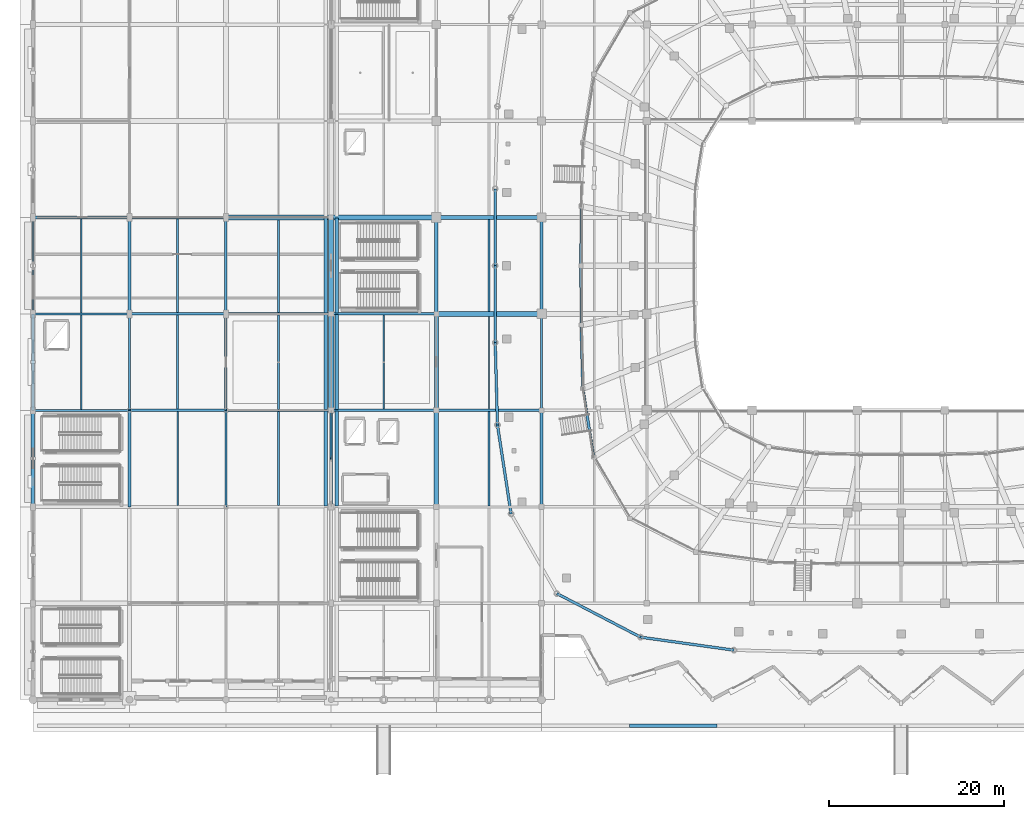
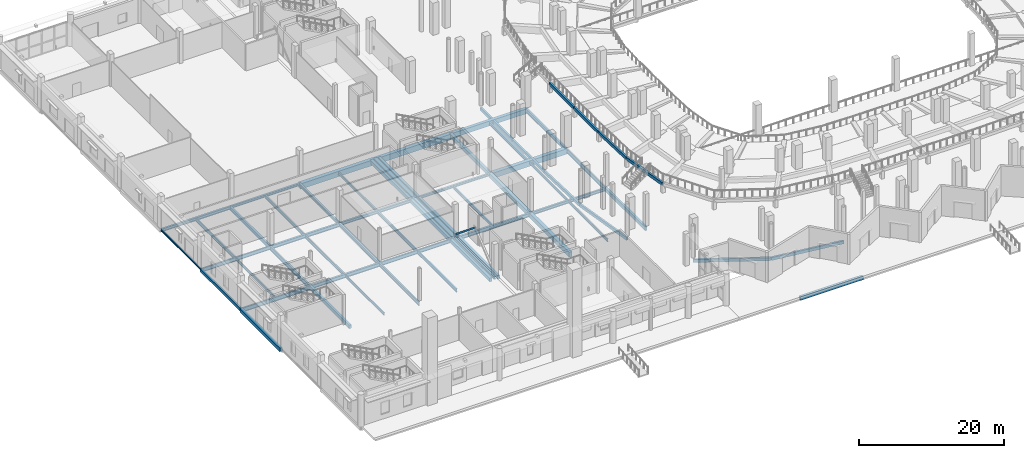
# One storey, part 18 of 120: 62 beams, 1 member.
"""IFC4 building model written with IfcOpenShell, lengths in metres."""

from ifc_helpers import new_model, si_unit, direction, frame, origin, origin_2d, place, context, subcontext, project, spatial, rectangle, hollow_rectangle, i_section, extrude, material, material_profile, profile_set, type_object, element, save


model = new_model("IFC4")

# Units and contexts
model_context = context("Model", 3, precision=1e-05, world=origin(), true_north=direction((0.0, 1.0)))
body_context = subcontext(model_context, "Body", "Model", "MODEL_VIEW")
ifc_project = project(units=[si_unit("LENGTHUNIT", "METRE"), si_unit("AREAUNIT", "SQUARE_METRE"), si_unit("VOLUMEUNIT", "CUBIC_METRE"), si_unit("PLANEANGLEUNIT", "RADIAN"), si_unit("MASSUNIT", "GRAM", prefix="KILO")], contexts=[model_context])

# Site, building, storey
site_placement = place(None, origin())
site = spatial("IfcSite", under=ifc_project, at=site_placement, CompositionType="ELEMENT")
building_placement = place(site_placement, origin())
building = spatial("IfcBuilding", under=site, at=building_placement, Name="Luwafu Chhajja Arena", CompositionType="ELEMENT")
storey_placement = place(building_placement, origin())
storey = spatial("IfcBuildingStorey", under=building, at=storey_placement, Name="L00", CompositionType="ELEMENT", Elevation=0.0)

# Beams
ifc_material_1 = material(Name="Concrete C35/45", Category="concrete")
ifc_material_profile_1 = material_profile(ifc_material_1, rectangle(XDim=0.35009765625, YDim=0.60009765625, at=origin_2d()), Name="RC 350x600")
ifc_profile_set_1 = profile_set([ifc_material_profile_1], Name="Concrete C35/45")
beam_type_1 = type_object("IfcBeamType", Name="Arcade Tie Beam RC 350x600", PredefinedType="BEAM", material=ifc_profile_set_1)
for number, where, z_axis, x_axis, name in (
    (1, (11.0, 22.0, -0.64990234375), (0.0, 1.0, 0.0), (-1.0, 0.0, 0.0), "L00 Grid Beam 2/C-D"),
    (2, (58.0, 22.0, -0.64990234375), (0.0, 1.0, 0.0), (-1.0, 0.0, 0.0), "L00 Grid Beam 6/C-D"),
):
    element("IfcBeam", number, at=place(storey_placement, frame(where, z_axis=z_axis, x_axis=x_axis)), inside=storey, type_object=beam_type_1, Name=name, PredefinedType="BEAM", context=body_context, shape_type="SweptSolid", body=[
        extrude(rectangle(XDim=0.35009765625, YDim=0.60009765625, at=origin_2d()), origin(), (0.0, 0.0, 1.0), 11.0),
    ])
ifc_material_2 = material(Name="Steel S355", Category="steel")
ifc_material_profile_2 = material_profile(ifc_material_2, i_section(OverallWidth=0.165771484375, OverallDepth=0.306640625, WebThickness=0.006591796875, FlangeThickness=0.01171875, at=origin_2d()), Name="UB 305x165x46")
ifc_profile_set_2 = profile_set([ifc_material_profile_2], Name="Steel S355")
beam_type_2 = type_object("IfcBeamType", Name="Concourse Edge Spandrel Beam UB 305x165x46", PredefinedType="SPANDREL", material=ifc_profile_set_2)
beam_1_placement = place(storey_placement, frame((0.0, 44.0, -0.50341796875), z_axis=(0.0, 1.0, 0.0), x_axis=(-1.0, 0.0, 0.0)))
element("IfcBeam", 3, at=beam_1_placement, inside=storey, type_object=beam_type_2, Name="L00 Grid Beam 1/E-F", PredefinedType="SPANDREL", context=body_context, shape_type="SweptSolid", body=[
    extrude(i_section(OverallWidth=0.165771484375, OverallDepth=0.306640625, WebThickness=0.006591796875, FlangeThickness=0.01171875, at=origin_2d()), origin(), (0.0, 0.0, 1.0), 11.0),
])
ifc_material_profile_3 = material_profile(ifc_material_1, rectangle(XDim=0.60009765625, YDim=0.89990234375, at=origin_2d()), Name="RC 600x900")
ifc_profile_set_3 = profile_set([ifc_material_profile_3], Name="Concrete C35/45")
beam_type_3 = type_object("IfcBeamType", Name="Concourse Primary Girder RC 600x900", PredefinedType="BEAM", material=ifc_profile_set_3)
for number, where, z_axis, x_axis, name in (
    (4, (22.0, 55.0, -0.800048828125), (1.0, 0.0, 0.0), (0.0, 1.0, 0.0), "L00 Grid Beam 3-4/F"),
    (5, (46.0, 44.0, -0.800048828125), (1.0, 0.0, 0.0), (0.0, 1.0, 0.0), "L00 Grid Beam 5-6/E"),
):
    element("IfcBeam", number, at=place(storey_placement, frame(where, z_axis=z_axis, x_axis=x_axis)), inside=storey, type_object=beam_type_3, Name=name, PredefinedType="BEAM", context=body_context, shape_type="SweptSolid", body=[
        extrude(rectangle(XDim=0.60009765625, YDim=0.89990234375, at=origin_2d()), origin(), (0.0, 0.0, 1.0), 12.0),
    ])
beam_2_placement = place(storey_placement, frame((34.0, 33.0, -0.800048828125), z_axis=(0.0, 1.0, 0.0), x_axis=(-1.0, 0.0, 0.0)))
element("IfcBeam", 6, at=beam_2_placement, inside=storey, type_object=beam_type_3, Name="L00 Grid Beam 4/D-E", PredefinedType="BEAM", context=body_context, shape_type="SweptSolid", body=[
    extrude(rectangle(XDim=0.60009765625, YDim=0.89990234375, at=origin_2d()), origin(), (0.0, 0.0, 1.0), 11.0),
])
ifc_material_profile_4 = material_profile(ifc_material_1, rectangle(XDim=0.550048828125, YDim=0.949951171875, at=origin_2d()), Name="RC 550x950")
ifc_profile_set_4 = profile_set([ifc_material_profile_4], Name="Concrete C35/45")
beam_type_4 = type_object("IfcBeamType", Name="Concourse Radial Girder RC 550x950", PredefinedType="BEAM", material=ifc_profile_set_4)
beam_3_placement = place(storey_placement, frame((34.0, 55.0, -0.824951171875), z_axis=(1.0, 0.0, 0.0), x_axis=(0.0, 1.0, 0.0)))
element("IfcBeam", 7, at=beam_3_placement, inside=storey, type_object=beam_type_4, Name="L00 Grid Beam 4-5/F", PredefinedType="BEAM", context=body_context, shape_type="SweptSolid", body=[
    extrude(rectangle(XDim=0.550048828125, YDim=0.949951171875, at=origin_2d()), origin(), (0.0, 0.0, 1.0), 12.0),
])
beam_4_placement = place(storey_placement, frame((34.0, 44.0, -0.824951171875), z_axis=(0.0, 1.0, 0.0), x_axis=(-1.0, 0.0, 0.0)))
element("IfcBeam", 8, at=beam_4_placement, inside=storey, type_object=beam_type_4, Name="L00 Grid Beam 4/E-F", PredefinedType="BEAM", context=body_context, shape_type="SweptSolid", body=[
    extrude(rectangle(XDim=0.550048828125, YDim=0.949951171875, at=origin_2d()), origin(), (0.0, 0.0, 1.0), 11.0),
])

# Member
ifc_material_profile_5 = material_profile(ifc_material_2, hollow_rectangle(XDim=0.25, YDim=0.25, WallThickness=0.011962890625, at=origin_2d()), Name="SHS 250x250x12")
ifc_profile_set_5 = profile_set([ifc_material_profile_5], Name="Steel S355")
member_type = type_object("IfcMemberType", Name="Core Frame Brace SHS 250", PredefinedType="BRACE", material=ifc_profile_set_5)
member_placement = place(storey_placement, frame((34.0, 33.0, 0.1201171875), z_axis=(0.0, -0.773957299203, 0.633237790257), x_axis=(1.0, 0.0, 0.0)))
element("IfcMember", 9, at=member_placement, inside=storey, type_object=member_type, Name="L00 Lateral Chevron Brace 02B", PredefinedType="BRACE", context=body_context, shape_type="SweptSolid", body=[
    extrude(hollow_rectangle(XDim=0.25, YDim=0.25, WallThickness=0.011962890625, at=origin_2d()), origin(), (0.0, 0.0, 1.0), 7.1064453125),
])

# Beams
ifc_material_profile_6 = material_profile(ifc_material_2, i_section(OverallWidth=0.15283203125, OverallDepth=0.45458984375, WebThickness=0.008056640625, FlangeThickness=0.01318359375, at=origin_2d()), Name="UB 457x152x60")
ifc_profile_set_6 = profile_set([ifc_material_profile_6], Name="Steel S355")
beam_type_5 = type_object("IfcBeamType", Name="Floor Joist UB 457x152x60", PredefinedType="JOIST", material=ifc_profile_set_6)
beam_5_placement = place(storey_placement, frame((5.5, 33.126708984375, -0.577392578125), z_axis=(0.0, 1.0, 0.0), x_axis=(-1.0, 0.0, 0.0)))
element("IfcBeam", 10, at=beam_5_placement, inside=storey, type_object=beam_type_5, Name="L00 Secondary Joist 1-2/D", PredefinedType="JOIST", context=body_context, shape_type="SweptSolid", body=[
    extrude(i_section(OverallWidth=0.15283203125, OverallDepth=0.45458984375, WebThickness=0.008056640625, FlangeThickness=0.01318359375, at=origin_2d()), origin(), (0.0, 0.0, 1.0), 10.7587890625),
])
beam_6_placement = place(storey_placement, frame((16.5, 22.175048828125, -0.577392578125), z_axis=(0.0, 1.0, 0.0), x_axis=(-1.0, 0.0, 0.0)))
element("IfcBeam", 11, at=beam_6_placement, inside=storey, type_object=beam_type_5, Name="L00 Secondary Joist 2-3/C", PredefinedType="JOIST", context=body_context, shape_type="SweptSolid", body=[
    extrude(i_section(OverallWidth=0.15283203125, OverallDepth=0.45458984375, WebThickness=0.008056640625, FlangeThickness=0.01318359375, at=origin_2d()), origin(), (0.0, 0.0, 1.0), 10.67138671875),
])
beam_7_placement = place(storey_placement, frame((52.0, 33.14990234375, -0.577392578125), z_axis=(0.0, 1.0, 0.0), x_axis=(-1.0, 0.0, 0.0)))
element("IfcBeam", 12, at=beam_7_placement, inside=storey, type_object=beam_type_5, Name="L00 Secondary Joist 5-6/D", PredefinedType="JOIST", context=body_context, shape_type="SweptSolid", body=[
    extrude(i_section(OverallWidth=0.15283203125, OverallDepth=0.45458984375, WebThickness=0.008056640625, FlangeThickness=0.01318359375, at=origin_2d()), origin(), (0.0, 0.0, 1.0), 10.550048828125),
])
ifc_material_profile_7 = material_profile(ifc_material_2, i_section(OverallWidth=0.19140625, OverallDepth=0.4599609375, WebThickness=0.010009765625, FlangeThickness=0.01611328125, at=origin_2d()), Name="UB 457x191x82")
ifc_profile_set_7 = profile_set([ifc_material_profile_7], Name="Steel S355")
beam_type_6 = type_object("IfcBeamType", Name="Floor Joist UB 457x191x82", PredefinedType="JOIST", material=ifc_profile_set_7)
beam_8_placement = place(storey_placement, frame((28.0, 44.14990234375, -0.580078125), z_axis=(0.0, 1.0, 0.0), x_axis=(-1.0, 0.0, 0.0)))
element("IfcBeam", 13, at=beam_8_placement, inside=storey, type_object=beam_type_6, Name="L00 Secondary Joist 3-4/E", PredefinedType="JOIST", context=body_context, shape_type="SweptSolid", body=[
    extrude(i_section(OverallWidth=0.19140625, OverallDepth=0.4599609375, WebThickness=0.010009765625, FlangeThickness=0.01611328125, at=origin_2d()), origin(), (0.0, 0.0, 1.0), 10.550048828125),
])
beam_9_placement = place(storey_placement, frame((40.0, 33.14990234375, -0.580078125), z_axis=(0.0, 1.0, 0.0), x_axis=(-1.0, 0.0, 0.0)))
element("IfcBeam", 14, at=beam_9_placement, inside=storey, type_object=beam_type_6, Name="L00 Secondary Joist 4-5/D", PredefinedType="JOIST", context=body_context, shape_type="SweptSolid", body=[
    extrude(i_section(OverallWidth=0.19140625, OverallDepth=0.4599609375, WebThickness=0.010009765625, FlangeThickness=0.01611328125, at=origin_2d()), origin(), (0.0, 0.0, 1.0), 10.7001953125),
])
beam_10_placement = place(storey_placement, frame((52.0, 22.114501953125, -0.580078125), z_axis=(0.0, 1.0, 0.0), x_axis=(-1.0, 0.0, 0.0)))
element("IfcBeam", 15, at=beam_10_placement, inside=storey, type_object=beam_type_6, Name="L00 Secondary Joist 5-6/C", PredefinedType="JOIST", context=body_context, shape_type="SweptSolid", body=[
    extrude(i_section(OverallWidth=0.19140625, OverallDepth=0.4599609375, WebThickness=0.010009765625, FlangeThickness=0.01611328125, at=origin_2d()), origin(), (0.0, 0.0, 1.0), 10.735595703125),
])
ifc_material_profile_8 = material_profile(ifc_material_2, i_section(OverallWidth=0.2099609375, OverallDepth=0.53662109375, WebThickness=0.0107421875, FlangeThickness=0.017333984375, at=origin_2d()), Name="UB 533x210x101")
ifc_profile_set_8 = profile_set([ifc_material_profile_8], Name="Steel S355")
beam_type_7 = type_object("IfcBeamType", Name="Floor Joist UB 533x210x101", PredefinedType="JOIST", material=ifc_profile_set_8)
beam_11_placement = place(storey_placement, frame((5.5, 44.114501953125, -0.618408203125), z_axis=(0.0, 1.0, 0.0), x_axis=(-1.0, 0.0, 0.0)))
element("IfcBeam", 16, at=beam_11_placement, inside=storey, type_object=beam_type_7, Name="L00 Secondary Joist 1-2/E", PredefinedType="JOIST", context=body_context, shape_type="SweptSolid", body=[
    extrude(i_section(OverallWidth=0.2099609375, OverallDepth=0.53662109375, WebThickness=0.0107421875, FlangeThickness=0.017333984375, at=origin_2d()), origin(), (0.0, 0.0, 1.0), 10.735595703125),
])
beam_12_placement = place(storey_placement, frame((16.5, 33.153564453125, -0.618408203125), z_axis=(0.0, 1.0, 0.0), x_axis=(-1.0, 0.0, 0.0)))
element("IfcBeam", 17, at=beam_12_placement, inside=storey, type_object=beam_type_7, Name="L00 Secondary Joist 2-3/D", PredefinedType="JOIST", context=body_context, shape_type="SweptSolid", body=[
    extrude(i_section(OverallWidth=0.2099609375, OverallDepth=0.53662109375, WebThickness=0.0107421875, FlangeThickness=0.017333984375, at=origin_2d()), origin(), (0.0, 0.0, 1.0), 10.696533203125),
])
beam_13_placement = place(storey_placement, frame((28.0, 22.126953125, -0.618408203125), z_axis=(0.0, 1.0, 0.0), x_axis=(-1.0, 0.0, 0.0)))
element("IfcBeam", 18, at=beam_13_placement, inside=storey, type_object=beam_type_7, Name="L00 Secondary Joist 3-4/C", PredefinedType="JOIST", context=body_context, shape_type="SweptSolid", body=[
    extrude(i_section(OverallWidth=0.2099609375, OverallDepth=0.53662109375, WebThickness=0.0107421875, FlangeThickness=0.017333984375, at=origin_2d()), origin(), (0.0, 0.0, 1.0), 10.758544921875),
])
beam_14_placement = place(storey_placement, frame((52.0, 44.300048828125, -0.618408203125), z_axis=(0.0, 1.0, 0.0), x_axis=(-1.0, 0.0, 0.0)))
element("IfcBeam", 19, at=beam_14_placement, inside=storey, type_object=beam_type_7, Name="L00 Secondary Joist 5-6/E", PredefinedType="JOIST", context=body_context, shape_type="SweptSolid", body=[
    extrude(i_section(OverallWidth=0.2099609375, OverallDepth=0.53662109375, WebThickness=0.0107421875, FlangeThickness=0.017333984375, at=origin_2d()), origin(), (0.0, 0.0, 1.0), 10.449951171875),
])
ifc_material_profile_9 = material_profile(ifc_material_2, i_section(OverallWidth=0.209228515625, OverallDepth=0.533203125, WebThickness=0.010009765625, FlangeThickness=0.015625, at=origin_2d()), Name="UB 533x210x92")
ifc_profile_set_9 = profile_set([ifc_material_profile_9], Name="Steel S355")
beam_type_8 = type_object("IfcBeamType", Name="Floor Joist UB 533x210x92", PredefinedType="JOIST", material=ifc_profile_set_9)
beam_15_placement = place(storey_placement, frame((16.5, 44.14990234375, -0.616455078125), z_axis=(0.0, 1.0, 0.0), x_axis=(-1.0, 0.0, 0.0)))
element("IfcBeam", 20, at=beam_15_placement, inside=storey, type_object=beam_type_8, Name="L00 Secondary Joist 2-3/E", PredefinedType="JOIST", context=body_context, shape_type="SweptSolid", body=[
    extrude(i_section(OverallWidth=0.209228515625, OverallDepth=0.533203125, WebThickness=0.010009765625, FlangeThickness=0.015625, at=origin_2d()), origin(), (0.0, 0.0, 1.0), 10.7001953125),
])
beam_16_placement = place(storey_placement, frame((28.0, 33.114501953125, -0.616455078125), z_axis=(0.0, 1.0, 0.0), x_axis=(-1.0, 0.0, 0.0)))
element("IfcBeam", 21, at=beam_16_placement, inside=storey, type_object=beam_type_8, Name="L00 Secondary Joist 3-4/D", PredefinedType="JOIST", context=body_context, shape_type="SweptSolid", body=[
    extrude(i_section(OverallWidth=0.209228515625, OverallDepth=0.533203125, WebThickness=0.010009765625, FlangeThickness=0.015625, at=origin_2d()), origin(), (0.0, 0.0, 1.0), 10.735595703125),
])
ifc_material_profile_10 = material_profile(ifc_material_1, rectangle(XDim=0.5, YDim=0.800048828125, at=origin_2d()), Name="RC 500x800")
ifc_profile_set_10 = profile_set([ifc_material_profile_10], Name="Concrete C35/45")
beam_type_9 = type_object("IfcBeamType", Name="Hospitality Primary Beam RC 500x800", PredefinedType="BEAM", material=ifc_profile_set_10)
beam_17_placement = place(storey_placement, frame((46.0, 55.0, -0.75), z_axis=(1.0, 0.0, 0.0), x_axis=(0.0, 1.0, 0.0)))
element("IfcBeam", 22, at=beam_17_placement, inside=storey, type_object=beam_type_9, Name="L00 Grid Beam 5-6/F", PredefinedType="BEAM", context=body_context, shape_type="SweptSolid", body=[
    extrude(rectangle(XDim=0.5, YDim=0.800048828125, at=origin_2d()), origin(), (0.0, 0.0, 1.0), 12.0),
])
beam_18_placement = place(storey_placement, frame((46.0, 22.0, -0.75), z_axis=(0.0, 1.0, 0.0), x_axis=(-1.0, 0.0, 0.0)))
element("IfcBeam", 23, at=beam_18_placement, inside=storey, type_object=beam_type_9, Name="L00 Grid Beam 5/C-D", PredefinedType="BEAM", context=body_context, shape_type="SweptSolid", body=[
    extrude(rectangle(XDim=0.5, YDim=0.800048828125, at=origin_2d()), origin(), (0.0, 0.0, 1.0), 11.0),
])
ifc_material_profile_11 = material_profile(ifc_material_2, hollow_rectangle(XDim=0.300048828125, YDim=0.5, WallThickness=0.02001953125, at=origin_2d()), Name="RHS 500x300x20")
ifc_profile_set_11 = profile_set([ifc_material_profile_11], Name="Steel S355")
beam_type_10 = type_object("IfcBeamType", Name="Pleated Drum Spandrel Beam RHS 500x300", PredefinedType="SPANDREL", material=ifc_profile_set_11)
beam_19_placement = place(storey_placement, frame((0.0, 33.0, -0.60009765625), z_axis=(0.0, 1.0, 0.0), x_axis=(-1.0, 0.0, 0.0)))
element("IfcBeam", 24, at=beam_19_placement, inside=storey, type_object=beam_type_10, Name="L00 Grid Beam 1/D-E", PredefinedType="SPANDREL", context=body_context, shape_type="SweptSolid", body=[
    extrude(hollow_rectangle(XDim=0.300048828125, YDim=0.5, WallThickness=0.02001953125, at=origin_2d()), origin(), (0.0, 0.0, 1.0), 11.0),
])
for number, where, z_axis, x_axis, name in (
    (25, (52.71240234375, 58.269775390625, -0.60009765625), (-0.001419780869, -0.999998992111, 0.0), (0.999998992111, -0.001419780869, 0.0), "L00 Drum Ring Spandrel D16-D17"),
    (26, (52.699951171875, 49.5, -0.60009765625), (0.001419780869, -0.999998992111, 0.0), (0.999998992111, 0.001419780869, 0.0), "L00 Drum Ring Spandrel D17-D18"),
):
    element("IfcBeam", number, at=place(storey_placement, frame(where, z_axis=z_axis, x_axis=x_axis)), inside=storey, type_object=beam_type_10, Name=name, PredefinedType="SPANDREL", context=body_context, shape_type="SweptSolid", body=[
        extrude(hollow_rectangle(XDim=0.300048828125, YDim=0.5, WallThickness=0.02001953125, at=origin_2d()), origin(), (0.0, 0.0, 1.0), 8.769775390625),
    ])
beam_20_placement = place(storey_placement, frame((52.71240234375, 40.730224609375, -0.60009765625), z_axis=(0.02720805866, -0.999629792245, 0.0), x_axis=(0.999629792245, 0.02720805866, 0.0)))
element("IfcBeam", 27, at=beam_20_placement, inside=storey, type_object=beam_type_10, Name="L00 Drum Ring Spandrel D18-D19", PredefinedType="SPANDREL", context=body_context, shape_type="SweptSolid", body=[
    extrude(hollow_rectangle(XDim=0.300048828125, YDim=0.5, WallThickness=0.02001953125, at=origin_2d()), origin(), (0.0, 0.0, 1.0), 9.394775390625),
])
beam_21_placement = place(storey_placement, frame((52.968017578125, 31.3388671875, -0.60009765625), z_axis=(0.1515977802, -0.988442265911, 0.0), x_axis=(0.988442265911, 0.1515977802, 0.0)))
element("IfcBeam", 28, at=beam_21_placement, inside=storey, type_object=beam_type_10, Name="L00 Drum Ring Spandrel D19-D20", PredefinedType="SPANDREL", context=body_context, shape_type="SweptSolid", body=[
    extrude(hollow_rectangle(XDim=0.300048828125, YDim=0.5, WallThickness=0.02001953125, at=origin_2d()), origin(), (0.0, 0.0, 1.0), 10.263427734375),
])
beam_22_placement = place(storey_placement, frame((59.743896484375, 12.109130859375, -0.60009765625), z_axis=(0.886755170812, -0.462239404463, 0.0), x_axis=(0.462239404463, 0.886755170812, 0.0)))
element("IfcBeam", 29, at=beam_22_placement, inside=storey, type_object=beam_type_10, Name="L00 Drum Ring Spandrel D21-D22", PredefinedType="SPANDREL", context=body_context, shape_type="SweptSolid", body=[
    extrude(hollow_rectangle(XDim=0.300048828125, YDim=0.5, WallThickness=0.02001953125, at=origin_2d()), origin(), (0.0, 0.0, 1.0), 10.756103515625),
])
beam_23_placement = place(storey_placement, frame((69.281982421875, 7.13720703125, -0.60009765625), z_axis=(0.990458730054, -0.137809666058, 0.0), x_axis=(0.137809666058, 0.990458730054, 0.0)))
element("IfcBeam", 30, at=beam_23_placement, inside=storey, type_object=beam_type_10, Name="L00 Drum Ring Spandrel D22-D23", PredefinedType="SPANDREL", context=body_context, shape_type="SweptSolid", body=[
    extrude(hollow_rectangle(XDim=0.300048828125, YDim=0.5, WallThickness=0.02001953125, at=origin_2d()), origin(), (0.0, 0.0, 1.0), 10.75341796875),
])
ifc_material_profile_12 = material_profile(ifc_material_1, rectangle(XDim=0.39990234375, YDim=0.60009765625, at=origin_2d()), Name="RC 400x600")
ifc_profile_set_12 = profile_set([ifc_material_profile_12], Name="Concrete C35/45")
beam_type_11 = type_object("IfcBeamType", Name="Podium Perimeter Spandrel RC 400x600", PredefinedType="SPANDREL", material=ifc_profile_set_12)
beam_24_placement = place(storey_placement, frame((0.0, 22.0, -0.64990234375), z_axis=(0.0, 1.0, 0.0), x_axis=(-1.0, 0.0, 0.0)))
element("IfcBeam", 31, at=beam_24_placement, inside=storey, type_object=beam_type_11, Name="L00 Grid Beam 1/C-D", PredefinedType="SPANDREL", context=body_context, shape_type="SweptSolid", body=[
    extrude(rectangle(XDim=0.39990234375, YDim=0.60009765625, at=origin_2d()), origin(), (0.0, 0.0, 1.0), 11.0),
])
for number, where, z_axis, x_axis, name in (
    (32, (33.3798828125, 22.080078125, -0.64990234375), (0.0, 1.0, 0.0), (-1.0, 0.0, 0.0), "L00 Movement Joint MJ1W Seat Girder 02"),
    (33, (33.3798828125, 33.080078125, -0.64990234375), (0.0, 1.0, 0.0), (-1.0, 0.0, 0.0), "L00 Movement Joint MJ1W Seat Girder 03"),
    (34, (33.3798828125, 44.080078125, -0.64990234375), (0.0, 1.0, 0.0), (-1.0, 0.0, 0.0), "L00 Movement Joint MJ1W Seat Girder 04"),
    (35, (34.6201171875, 22.080078125, -0.64990234375), (0.0, 1.0, 0.0), (-1.0, 0.0, 0.0), "L00 Movement Joint MJ1E Seat Girder 02"),
    (36, (34.6201171875, 33.080078125, -0.64990234375), (0.0, 1.0, 0.0), (-1.0, 0.0, 0.0), "L00 Movement Joint MJ1E Seat Girder 03"),
    (37, (34.6201171875, 44.080078125, -0.64990234375), (0.0, 1.0, 0.0), (-1.0, 0.0, 0.0), "L00 Movement Joint MJ1E Seat Girder 04"),
):
    element("IfcBeam", number, at=place(storey_placement, frame(where, z_axis=z_axis, x_axis=x_axis)), inside=storey, type_object=beam_type_11, Name=name, PredefinedType="SPANDREL", context=body_context, shape_type="SweptSolid", body=[
        extrude(rectangle(XDim=0.39990234375, YDim=0.60009765625, at=origin_2d()), origin(), (0.0, 0.0, 1.0), 10.83984375),
    ])
beam_25_placement = place(storey_placement, frame((68.0, -2.949951171875, -0.659912109375), z_axis=(1.0, 0.0, 0.0), x_axis=(0.0, 1.0, 0.0)))
element("IfcBeam", 38, at=beam_25_placement, inside=storey, type_object=beam_type_11, Name="L00 Forecourt Plinth Edge Beam 07", PredefinedType="SPANDREL", context=body_context, shape_type="SweptSolid", body=[
    extrude(rectangle(XDim=0.39990234375, YDim=0.60009765625, at=origin_2d()), origin(), (0.0, 0.0, 1.0), 10.0),
])
ifc_material_profile_13 = material_profile(ifc_material_2, i_section(OverallWidth=0.300048828125, OverallDepth=0.5, WebThickness=0.014404296875, FlangeThickness=0.028076171875, at=origin_2d()), Name="HEB 500")
ifc_profile_set_13 = profile_set([ifc_material_profile_13], Name="Steel S355")
beam_type_12 = type_object("IfcBeamType", Name="Steel Atrium Tie Girder HEB 500", PredefinedType="BEAM", material=ifc_profile_set_13)
beam_26_placement = place(storey_placement, frame((0.0, 55.0, -0.60009765625), z_axis=(1.0, 0.0, 0.0), x_axis=(0.0, 1.0, 0.0)))
element("IfcBeam", 39, at=beam_26_placement, inside=storey, type_object=beam_type_12, Name="L00 Grid Beam 1-2/F", PredefinedType="BEAM", context=body_context, shape_type="SweptSolid", body=[
    extrude(i_section(OverallWidth=0.300048828125, OverallDepth=0.5, WebThickness=0.014404296875, FlangeThickness=0.028076171875, at=origin_2d()), origin(), (0.0, 0.0, 1.0), 11.0),
])
for number, where, z_axis, x_axis, name in (
    (40, (22.0, 44.0, -0.60009765625), (1.0, 0.0, 0.0), (0.0, 1.0, 0.0), "L00 Grid Beam 3-4/E"),
    (41, (46.0, 33.0, -0.60009765625), (1.0, 0.0, 0.0), (0.0, 1.0, 0.0), "L00 Grid Beam 5-6/D"),
):
    element("IfcBeam", number, at=place(storey_placement, frame(where, z_axis=z_axis, x_axis=x_axis)), inside=storey, type_object=beam_type_12, Name=name, PredefinedType="BEAM", context=body_context, shape_type="SweptSolid", body=[
        extrude(i_section(OverallWidth=0.300048828125, OverallDepth=0.5, WebThickness=0.014404296875, FlangeThickness=0.028076171875, at=origin_2d()), origin(), (0.0, 0.0, 1.0), 12.0),
    ])
beam_27_placement = place(storey_placement, frame((22.0, 44.0, -0.60009765625), z_axis=(0.0, 1.0, 0.0), x_axis=(-1.0, 0.0, 0.0)))
element("IfcBeam", 42, at=beam_27_placement, inside=storey, type_object=beam_type_12, Name="L00 Grid Beam 3/E-F", PredefinedType="BEAM", context=body_context, shape_type="SweptSolid", body=[
    extrude(i_section(OverallWidth=0.300048828125, OverallDepth=0.5, WebThickness=0.014404296875, FlangeThickness=0.028076171875, at=origin_2d()), origin(), (0.0, 0.0, 1.0), 11.0),
])
ifc_material_profile_14 = material_profile(ifc_material_2, i_section(OverallWidth=0.253662109375, OverallDepth=0.68359375, WebThickness=0.012451171875, FlangeThickness=0.01904296875, at=origin_2d()), Name="UB 686x254x140")
ifc_profile_set_14 = profile_set([ifc_material_profile_14], Name="Steel S355")
beam_type_13 = type_object("IfcBeamType", Name="Steel Concourse Girder UB 686x254x140", PredefinedType="BEAM", material=ifc_profile_set_14)
for number, where, z_axis, x_axis, name in (
    (43, (0.0, 33.0, -0.691650390625), (1.0, 0.0, 0.0), (0.0, 1.0, 0.0), "L00 Grid Beam 1-2/D"),
    (44, (11.0, 33.0, -0.691650390625), (0.0, 1.0, 0.0), (-1.0, 0.0, 0.0), "L00 Grid Beam 2/D-E"),
    (45, (58.0, 33.0, -0.691650390625), (0.0, 1.0, 0.0), (-1.0, 0.0, 0.0), "L00 Grid Beam 6/D-E"),
):
    element("IfcBeam", number, at=place(storey_placement, frame(where, z_axis=z_axis, x_axis=x_axis)), inside=storey, type_object=beam_type_13, Name=name, PredefinedType="BEAM", context=body_context, shape_type="SweptSolid", body=[
        extrude(i_section(OverallWidth=0.253662109375, OverallDepth=0.68359375, WebThickness=0.012451171875, FlangeThickness=0.01904296875, at=origin_2d()), origin(), (0.0, 0.0, 1.0), 11.0),
    ])
ifc_material_profile_15 = material_profile(ifc_material_2, i_section(OverallWidth=0.300048828125, OverallDepth=0.60009765625, WebThickness=0.015380859375, FlangeThickness=0.030029296875, at=origin_2d()), Name="HEB 600")
ifc_profile_set_15 = profile_set([ifc_material_profile_15], Name="Steel S355")
beam_type_14 = type_object("IfcBeamType", Name="Steel Gallery Girder HEB 600", PredefinedType="BEAM", material=ifc_profile_set_15)
beam_28_placement = place(storey_placement, frame((11.0, 44.0, -0.64990234375), z_axis=(1.0, 0.0, 0.0), x_axis=(0.0, 1.0, 0.0)))
element("IfcBeam", 46, at=beam_28_placement, inside=storey, type_object=beam_type_14, Name="L00 Grid Beam 2-3/E", PredefinedType="BEAM", context=body_context, shape_type="SweptSolid", body=[
    extrude(i_section(OverallWidth=0.300048828125, OverallDepth=0.60009765625, WebThickness=0.015380859375, FlangeThickness=0.030029296875, at=origin_2d()), origin(), (0.0, 0.0, 1.0), 11.0),
])
beam_29_placement = place(storey_placement, frame((34.0, 33.0, -0.64990234375), z_axis=(1.0, 0.0, 0.0), x_axis=(0.0, 1.0, 0.0)))
element("IfcBeam", 47, at=beam_29_placement, inside=storey, type_object=beam_type_14, Name="L00 Grid Beam 4-5/D", PredefinedType="BEAM", context=body_context, shape_type="SweptSolid", body=[
    extrude(i_section(OverallWidth=0.300048828125, OverallDepth=0.60009765625, WebThickness=0.015380859375, FlangeThickness=0.030029296875, at=origin_2d()), origin(), (0.0, 0.0, 1.0), 12.0),
])
beam_30_placement = place(storey_placement, frame((22.0, 33.0, -0.64990234375), z_axis=(0.0, 1.0, 0.0), x_axis=(-1.0, 0.0, 0.0)))
element("IfcBeam", 48, at=beam_30_placement, inside=storey, type_object=beam_type_14, Name="L00 Grid Beam 3/D-E", PredefinedType="BEAM", context=body_context, shape_type="SweptSolid", body=[
    extrude(i_section(OverallWidth=0.300048828125, OverallDepth=0.60009765625, WebThickness=0.015380859375, FlangeThickness=0.030029296875, at=origin_2d()), origin(), (0.0, 0.0, 1.0), 11.0),
])
ifc_material_profile_16 = material_profile(ifc_material_2, i_section(OverallWidth=0.30712890625, OverallDepth=0.6201171875, WebThickness=0.01416015625, FlangeThickness=0.023681640625, at=origin_2d()), Name="UB 610x305x179")
ifc_profile_set_16 = profile_set([ifc_material_profile_16], Name="Steel S355")
beam_type_15 = type_object("IfcBeamType", Name="Steel Hospitality Girder UB 610x305x179", PredefinedType="BEAM", material=ifc_profile_set_16)
for number, where, z_axis, x_axis, name in (
    (49, (11.0, 33.0, -0.66015625), (1.0, 0.0, 0.0), (0.0, 1.0, 0.0), "L00 Grid Beam 2-3/D"),
    (50, (11.0, 44.0, -0.66015625), (0.0, 1.0, 0.0), (-1.0, 0.0, 0.0), "L00 Grid Beam 2/E-F"),
    (51, (58.0, 44.0, -0.66015625), (0.0, 1.0, 0.0), (-1.0, 0.0, 0.0), "L00 Grid Beam 6/E-F"),
):
    element("IfcBeam", number, at=place(storey_placement, frame(where, z_axis=z_axis, x_axis=x_axis)), inside=storey, type_object=beam_type_15, Name=name, PredefinedType="BEAM", context=body_context, shape_type="SweptSolid", body=[
        extrude(i_section(OverallWidth=0.30712890625, OverallDepth=0.6201171875, WebThickness=0.01416015625, FlangeThickness=0.023681640625, at=origin_2d()), origin(), (0.0, 0.0, 1.0), 11.0),
    ])
ifc_material_profile_17 = material_profile(ifc_material_2, i_section(OverallWidth=0.22900390625, OverallDepth=0.6123046875, WebThickness=0.011962890625, FlangeThickness=0.01953125, at=origin_2d()), Name="UB 610x229x125")
ifc_profile_set_17 = profile_set([ifc_material_profile_17], Name="Steel S355")
beam_type_16 = type_object("IfcBeamType", Name="Steel Mezzanine Girder UB 610x229x125", PredefinedType="BEAM", material=ifc_profile_set_17)
beam_31_placement = place(storey_placement, frame((0.0, 44.0, -0.656005859375), z_axis=(1.0, 0.0, 0.0), x_axis=(0.0, 1.0, 0.0)))
element("IfcBeam", 52, at=beam_31_placement, inside=storey, type_object=beam_type_16, Name="L00 Grid Beam 1-2/E", PredefinedType="BEAM", context=body_context, shape_type="SweptSolid", body=[
    extrude(i_section(OverallWidth=0.22900390625, OverallDepth=0.6123046875, WebThickness=0.011962890625, FlangeThickness=0.01953125, at=origin_2d()), origin(), (0.0, 0.0, 1.0), 11.0),
])
beam_32_placement = place(storey_placement, frame((22.0, 33.0, -0.656005859375), z_axis=(1.0, 0.0, 0.0), x_axis=(0.0, 1.0, 0.0)))
element("IfcBeam", 53, at=beam_32_placement, inside=storey, type_object=beam_type_16, Name="L00 Grid Beam 3-4/D", PredefinedType="BEAM", context=body_context, shape_type="SweptSolid", body=[
    extrude(i_section(OverallWidth=0.22900390625, OverallDepth=0.6123046875, WebThickness=0.011962890625, FlangeThickness=0.01953125, at=origin_2d()), origin(), (0.0, 0.0, 1.0), 12.0),
])
beam_33_placement = place(storey_placement, frame((22.0, 22.0, -0.656005859375), z_axis=(0.0, 1.0, 0.0), x_axis=(-1.0, 0.0, 0.0)))
element("IfcBeam", 54, at=beam_33_placement, inside=storey, type_object=beam_type_16, Name="L00 Grid Beam 3/C-D", PredefinedType="BEAM", context=body_context, shape_type="SweptSolid", body=[
    extrude(i_section(OverallWidth=0.22900390625, OverallDepth=0.6123046875, WebThickness=0.011962890625, FlangeThickness=0.01953125, at=origin_2d()), origin(), (0.0, 0.0, 1.0), 11.0),
])
ifc_material_profile_18 = material_profile(ifc_material_2, i_section(OverallWidth=0.300048828125, OverallDepth=0.39990234375, WebThickness=0.013427734375, FlangeThickness=0.02392578125, at=origin_2d()), Name="HEB 400")
ifc_profile_set_18 = profile_set([ifc_material_profile_18], Name="Steel S355")
beam_type_17 = type_object("IfcBeamType", Name="Steel Rigging Grid Beam HEB 400", PredefinedType="BEAM", material=ifc_profile_set_18)
beam_34_placement = place(storey_placement, frame((11.0, 55.0, -0.550048828125), z_axis=(1.0, 0.0, 0.0), x_axis=(0.0, 1.0, 0.0)))
element("IfcBeam", 55, at=beam_34_placement, inside=storey, type_object=beam_type_17, Name="L00 Grid Beam 2-3/F", PredefinedType="BEAM", context=body_context, shape_type="SweptSolid", body=[
    extrude(i_section(OverallWidth=0.300048828125, OverallDepth=0.39990234375, WebThickness=0.013427734375, FlangeThickness=0.02392578125, at=origin_2d()), origin(), (0.0, 0.0, 1.0), 11.0),
])
beam_35_placement = place(storey_placement, frame((34.0, 44.0, -0.550048828125), z_axis=(1.0, 0.0, 0.0), x_axis=(0.0, 1.0, 0.0)))
element("IfcBeam", 56, at=beam_35_placement, inside=storey, type_object=beam_type_17, Name="L00 Grid Beam 4-5/E", PredefinedType="BEAM", context=body_context, shape_type="SweptSolid", body=[
    extrude(i_section(OverallWidth=0.300048828125, OverallDepth=0.39990234375, WebThickness=0.013427734375, FlangeThickness=0.02392578125, at=origin_2d()), origin(), (0.0, 0.0, 1.0), 12.0),
])
beam_36_placement = place(storey_placement, frame((34.0, 22.0, -0.550048828125), z_axis=(0.0, 1.0, 0.0), x_axis=(-1.0, 0.0, 0.0)))
element("IfcBeam", 57, at=beam_36_placement, inside=storey, type_object=beam_type_17, Name="L00 Grid Beam 4/C-D", PredefinedType="BEAM", context=body_context, shape_type="SweptSolid", body=[
    extrude(i_section(OverallWidth=0.300048828125, OverallDepth=0.39990234375, WebThickness=0.013427734375, FlangeThickness=0.02392578125, at=origin_2d()), origin(), (0.0, 0.0, 1.0), 11.0),
])
ifc_material_3 = material(Name="Precast concrete C40/50", Category="concrete")
ifc_material_profile_19 = material_profile(ifc_material_3, rectangle(XDim=0.300048828125, YDim=0.5, at=origin_2d()), Name="RC 300x500")
ifc_profile_set_19 = profile_set([ifc_material_profile_19], Name="Precast concrete C40/50")
beam_type_18 = type_object("IfcBeamType", Name="Tier Support Beam RC 300x500", PredefinedType="BEAM", material=ifc_profile_set_19)
for number, where, z_axis, x_axis, name in (
    (58, (62.509765625, 56.26123046875, 1.3798828125), (-0.001444354672, -0.999998956919, 0.0), (0.999998956919, -0.001444354672, 0.0), "Lower Tier Outer Ring Beam S16"),
    (59, (62.5, 49.5, 1.3798828125), (0.001444354672, -0.999998956919, 0.0), (0.999998956919, 0.001444354672, 0.0), "Lower Tier Outer Ring Beam S17"),
):
    element("IfcBeam", number, at=place(storey_placement, frame(where, z_axis=z_axis, x_axis=x_axis)), inside=storey, type_object=beam_type_18, Name=name, PredefinedType="BEAM", context=body_context, shape_type="SweptSolid", body=[
        extrude(rectangle(XDim=0.300048828125, YDim=0.5, at=origin_2d()), origin(), (0.0, 0.0, 1.0), 6.76123046875),
    ])
beam_37_placement = place(storey_placement, frame((62.509765625, 42.73876953125, 1.3798828125), z_axis=(0.027807295899, -0.99961330238, 0.0), x_axis=(0.99961330238, 0.027807295899, 0.0)))
element("IfcBeam", 60, at=beam_37_placement, inside=storey, type_object=beam_type_18, Name="Lower Tier Outer Ring Beam S18", PredefinedType="BEAM", context=body_context, shape_type="SweptSolid", body=[
    extrude(rectangle(XDim=0.300048828125, YDim=0.5, at=origin_2d()), origin(), (0.0, 0.0, 1.0), 7.2431640625),
])
beam_38_placement = place(storey_placement, frame((62.711181640625, 35.498291015625, 1.3798828125), z_axis=(0.15496009699, -0.987920729786, 0.0), x_axis=(0.987920729786, 0.15496009699, 0.0)))
element("IfcBeam", 61, at=beam_38_placement, inside=storey, type_object=beam_type_18, Name="Lower Tier Outer Ring Beam S19", PredefinedType="BEAM", context=body_context, shape_type="SweptSolid", body=[
    extrude(rectangle(XDim=0.300048828125, YDim=0.5, at=origin_2d()), origin(), (0.0, 0.0, 1.0), 7.9169921875),
])
ifc_material_profile_20 = material_profile(ifc_material_1, rectangle(XDim=0.39990234375, YDim=0.699951171875, at=origin_2d()), Name="RC 400x700")
ifc_profile_set_20 = profile_set([ifc_material_profile_20], Name="Concrete C35/45")
beam_type_19 = type_object("IfcBeamType", Name="Wing Frame Beam RC 400x700", PredefinedType="BEAM", material=ifc_profile_set_20)
beam_39_placement = place(storey_placement, frame((46.0, 44.0, -0.699951171875), z_axis=(0.0, 1.0, 0.0), x_axis=(-1.0, 0.0, 0.0)))
element("IfcBeam", 62, at=beam_39_placement, inside=storey, type_object=beam_type_19, Name="L00 Grid Beam 5/E-F", PredefinedType="BEAM", context=body_context, shape_type="SweptSolid", body=[
    extrude(rectangle(XDim=0.39990234375, YDim=0.699951171875, at=origin_2d()), origin(), (0.0, 0.0, 1.0), 11.0),
])
ifc_material_profile_21 = material_profile(ifc_material_1, rectangle(XDim=0.449951171875, YDim=0.75, at=origin_2d()), Name="RC 450x750")
ifc_profile_set_21 = profile_set([ifc_material_profile_21], Name="Concrete C35/45")
beam_type_20 = type_object("IfcBeamType", Name="Wing Primary Beam RC 450x750", PredefinedType="BEAM", material=ifc_profile_set_21)
beam_40_placement = place(storey_placement, frame((46.0, 33.0, -0.72509765625), z_axis=(0.0, 1.0, 0.0), x_axis=(-1.0, 0.0, 0.0)))
element("IfcBeam", 63, at=beam_40_placement, inside=storey, type_object=beam_type_20, Name="L00 Grid Beam 5/D-E", PredefinedType="BEAM", context=body_context, shape_type="SweptSolid", body=[
    extrude(rectangle(XDim=0.449951171875, YDim=0.75, at=origin_2d()), origin(), (0.0, 0.0, 1.0), 11.0),
])

save(model, "model.ifc")
